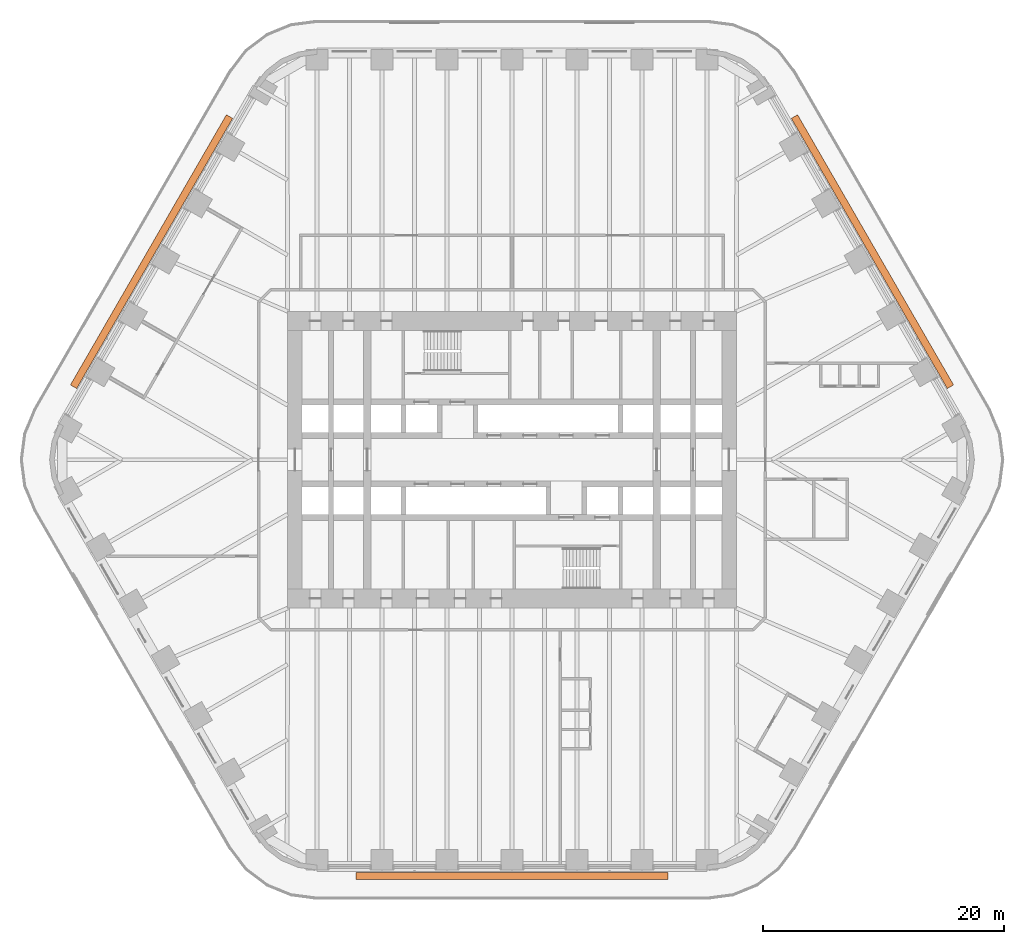
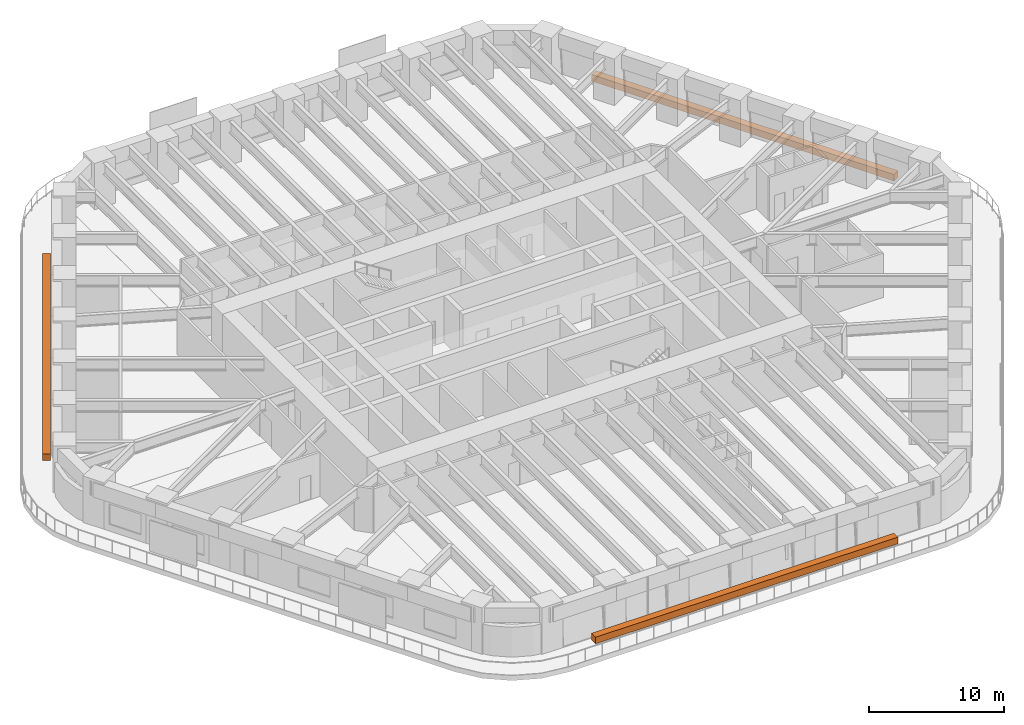
# One storey, part 24 of 24: 3 proxies.
"""IFC4 building model written with IfcOpenShell, lengths in metres."""

from ifc_helpers import new_model, si_unit, direction, frame, origin, origin_2d, place, context, subcontext, project, spatial, rectangle, extrude, material, element, save


model = new_model("IFC4")

# Units and contexts
model_context = context("Model", 3, precision=1e-05, world=origin(), true_north=direction((0.0, 1.0)))
body_context = subcontext(model_context, "Body", "Model", "MODEL_VIEW")
ifc_project = project(units=[si_unit("LENGTHUNIT", "METRE"), si_unit("AREAUNIT", "SQUARE_METRE"), si_unit("VOLUMEUNIT", "CUBIC_METRE"), si_unit("PLANEANGLEUNIT", "RADIAN"), si_unit("MASSUNIT", "GRAM", prefix="KILO")], contexts=[model_context])

# Site, building, storey
site_placement = place(None, origin())
site = spatial("IfcSite", under=ifc_project, at=site_placement, CompositionType="ELEMENT")
building_placement = place(site_placement, origin())
building = spatial("IfcBuilding", under=site, at=building_placement, Name="Tarfa Lantern Tower", CompositionType="ELEMENT")
storey_placement = place(building_placement, frame((0.0, 0.0, 94.89990234375)))
storey = spatial("IfcBuildingStorey", under=building, at=storey_placement, Name="L21", CompositionType="ELEMENT", Elevation=94.89990234375)

# Proxies
ifc_material = material(Name="Planting bed")
for number, where, z_axis, x_axis, name in (
    (1, (29.8779296875, 17.25, 0.0), (0.0, 0.0, 1.0), (-0.5, 0.866025403784, 0.0), "Balcony planter"),
    (2, (-29.8779296875, 17.25, 0.0), (0.0, 0.0, 1.0), (-0.5, -0.866025403784, 0.0), "Balcony planter"),
    (3, (0.0, -34.5, 0.0), (0.0, 0.0, 1.0), (1.0, 0.0, 0.0), "Balcony planter"),
):
    element("IfcBuildingElementProxy", number, at=place(storey_placement, frame(where, z_axis=z_axis, x_axis=x_axis)), inside=storey, material=ifc_material, Name=name, ObjectType="PLANTER", PredefinedType="USERDEFINED", context=body_context, shape_type="SweptSolid", body=[
        extrude(rectangle(XDim=25.865234375, YDim=0.60009765625, at=origin_2d()), origin(), (0.0, 0.0, 1.0), 0.60009765625),
    ])

save(model, "model.ifc")
